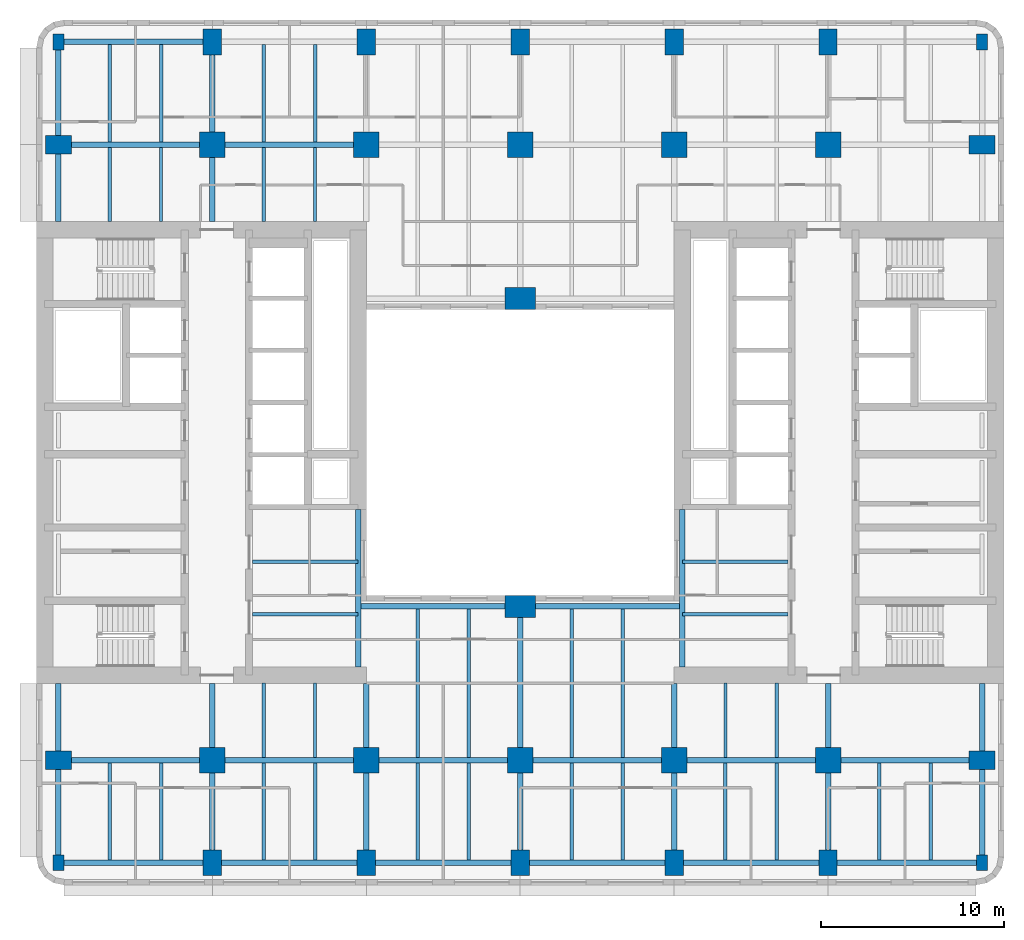
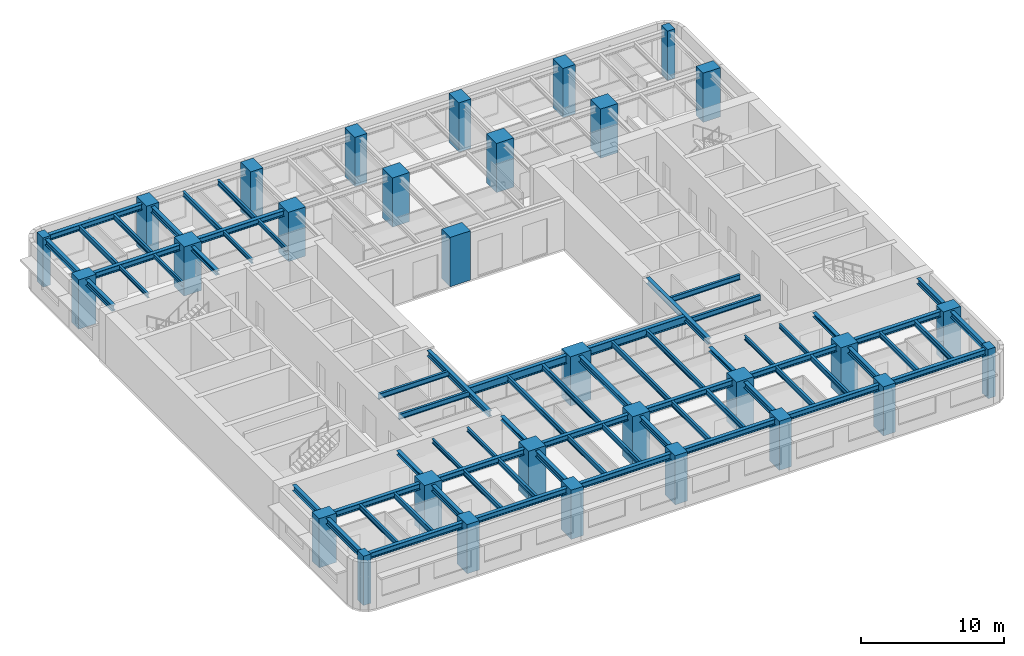
# One storey, part 1 of 11: 69 beams, 30 columns.
"""IFC4 building model written with IfcOpenShell, lengths in metres."""

from ifc_helpers import new_model, si_unit, direction, frame, origin, origin_2d, place, context, subcontext, project, spatial, rectangle, i_section, extrude, material, material_profile, profile_set, type_object, element, save


model = new_model("IFC4")

# Units and contexts
model_context = context("Model", 3, precision=1e-05, world=origin(), true_north=direction((0.0, 1.0)))
body_context = subcontext(model_context, "Body", "Model", "MODEL_VIEW")
ifc_project = project(units=[si_unit("LENGTHUNIT", "METRE"), si_unit("AREAUNIT", "SQUARE_METRE"), si_unit("VOLUMEUNIT", "CUBIC_METRE"), si_unit("PLANEANGLEUNIT", "RADIAN"), si_unit("MASSUNIT", "GRAM", prefix="KILO")], contexts=[model_context])

# Site, building, storey
site_placement = place(None, origin())
site = spatial("IfcSite", under=ifc_project, at=site_placement, CompositionType="ELEMENT")
building_placement = place(site_placement, origin())
building = spatial("IfcBuilding", under=site, at=building_placement, Name="Claustro Exchange Tower", CompositionType="ELEMENT")
storey_placement = place(building_placement, frame((0.0, 0.0, 142.800048828125)))
storey = spatial("IfcBuildingStorey", under=building, at=storey_placement, Name="L32", CompositionType="ELEMENT", Elevation=142.800048828125)

# Columns
ifc_material_1 = material(Name="Concrete HA-70 (C70/85)", Category="concrete")
ifc_material_profile_1 = material_profile(ifc_material_1, rectangle(XDim=1.39990234375, YDim=1.39990234375, at=origin_2d()), Name="RC 1400x1400")
ifc_profile_set_1 = profile_set([ifc_material_profile_1], Name="Concrete HA-70 (C70/85)")
column_type_1 = type_object("IfcColumnType", Name="C0 RC 1400x1400 HA-70 column", PredefinedType="COLUMN", material=ifc_profile_set_1)
for number, where, z_axis, x_axis, name in (
    (1, (8.39990234375, 8.39990234375, 0.0), (0.0, 0.0, 1.0), (1.0, 0.0, 0.0), "Column C0 2/B L32"),
    (2, (8.39990234375, 42.0, 0.0), (0.0, 0.0, 1.0), (1.0, 0.0, 0.0), "Column C0 2/F L32"),
    (3, (16.800048828125, 8.39990234375, 0.0), (0.0, 0.0, 1.0), (1.0, 0.0, 0.0), "Column C0 3/B L32"),
    (4, (16.800048828125, 42.0, 0.0), (0.0, 0.0, 1.0), (1.0, 0.0, 0.0), "Column C0 3/F L32"),
    (5, (25.199951171875, 8.39990234375, 0.0), (0.0, 0.0, 1.0), (1.0, 0.0, 0.0), "Column C0 4/B L32"),
    (6, (25.199951171875, 42.0, 0.0), (0.0, 0.0, 1.0), (1.0, 0.0, 0.0), "Column C0 4/F L32"),
    (7, (33.60009765625, 8.39990234375, 0.0), (0.0, 0.0, 1.0), (1.0, 0.0, 0.0), "Column C0 5/B L32"),
    (8, (33.60009765625, 42.0, 0.0), (0.0, 0.0, 1.0), (1.0, 0.0, 0.0), "Column C0 5/F L32"),
    (9, (42.0, 8.39990234375, 0.0), (0.0, 0.0, 1.0), (1.0, 0.0, 0.0), "Column C0 6/B L32"),
    (10, (42.0, 42.0, 0.0), (0.0, 0.0, 1.0), (1.0, 0.0, 0.0), "Column C0 6/F L32"),
):
    element("IfcColumn", number, at=place(storey_placement, frame(where, z_axis=z_axis, x_axis=x_axis)), inside=storey, type_object=column_type_1, Name=name, PredefinedType="COLUMN", context=body_context, shape_type="SweptSolid", body=[
        extrude(rectangle(XDim=1.39990234375, YDim=1.39990234375, at=origin_2d()), origin(), (0.0, 0.0, 1.0), 4.199951171875),
    ])
ifc_material_2 = material(Name="Concrete HA-70 (C70/85)", Category="concrete")
ifc_material_profile_2 = material_profile(ifc_material_2, rectangle(XDim=1.0, YDim=1.39990234375, at=origin_2d()), Name="RC 1000x1400")
ifc_profile_set_2 = profile_set([ifc_material_profile_2], Name="Concrete HA-70 (C70/85)")
column_type_2 = type_object("IfcColumnType", Name="C22 RC 1000x1400 HA-70 perimeter column", PredefinedType="COLUMN", material=ifc_profile_set_2)
for number, where, z_axis, x_axis, name in (
    (11, (0.0, 8.39990234375, 0.0), (0.0, 0.0, 1.0), (0.0, 1.0, 0.0), "Column C22 1/B L32"),
    (12, (0.0, 42.0, 0.0), (0.0, 0.0, 1.0), (0.0, 1.0, 0.0), "Column C22 1/F L32"),
    (13, (8.39990234375, 2.800048828125, 0.0), (0.0, 0.0, 1.0), (1.0, 0.0, 0.0), "Column C22 2/A+2800 L32"),
    (14, (8.39990234375, 47.60009765625, 0.0), (0.0, 0.0, 1.0), (1.0, 0.0, 0.0), "Column C22 2/F+5600 L32"),
    (15, (16.800048828125, 2.800048828125, 0.0), (0.0, 0.0, 1.0), (1.0, 0.0, 0.0), "Column C22 3/A+2800 L32"),
    (16, (16.800048828125, 47.60009765625, 0.0), (0.0, 0.0, 1.0), (1.0, 0.0, 0.0), "Column C22 3/F+5600 L32"),
    (17, (25.199951171875, 2.800048828125, 0.0), (0.0, 0.0, 1.0), (1.0, 0.0, 0.0), "Column C22 4/A+2800 L32"),
    (18, (25.199951171875, 47.60009765625, 0.0), (0.0, 0.0, 1.0), (1.0, 0.0, 0.0), "Column C22 4/F+5600 L32"),
    (19, (33.60009765625, 2.800048828125, 0.0), (0.0, 0.0, 1.0), (1.0, 0.0, 0.0), "Column C22 5/A+2800 L32"),
    (20, (33.60009765625, 47.60009765625, 0.0), (0.0, 0.0, 1.0), (1.0, 0.0, 0.0), "Column C22 5/F+5600 L32"),
    (21, (42.0, 2.800048828125, 0.0), (0.0, 0.0, 1.0), (1.0, 0.0, 0.0), "Column C22 6/A+2800 L32"),
    (22, (42.0, 47.60009765625, 0.0), (0.0, 0.0, 1.0), (1.0, 0.0, 0.0), "Column C22 6/F+5600 L32"),
    (23, (50.39990234375, 8.39990234375, 0.0), (0.0, 0.0, 1.0), (0.0, 1.0, 0.0), "Column C22 7/B L32"),
    (24, (50.39990234375, 42.0, 0.0), (0.0, 0.0, 1.0), (0.0, 1.0, 0.0), "Column C22 7/F L32"),
):
    element("IfcColumn", number, at=place(storey_placement, frame(where, z_axis=z_axis, x_axis=x_axis)), inside=storey, type_object=column_type_2, Name=name, PredefinedType="COLUMN", context=body_context, shape_type="SweptSolid", body=[
        extrude(rectangle(XDim=1.0, YDim=1.39990234375, at=origin_2d()), origin(), (0.0, 0.0, 1.0), 4.199951171875),
    ])
ifc_material_3 = material(Name="Concrete HA-50 (C50/60)", Category="concrete")
ifc_material_profile_3 = material_profile(ifc_material_3, rectangle(XDim=0.60009765625, YDim=0.85009765625, at=origin_2d()), Name="RC 600x850")
ifc_profile_set_3 = profile_set([ifc_material_profile_3], Name="Concrete HA-50 (C50/60)")
column_type_3 = type_object("IfcColumnType", Name="C25 RC 600x850 HA-50 corner column", PredefinedType="COLUMN", material=ifc_profile_set_3)
for number, where, z_axis, x_axis, name in (
    (25, (0.0, 2.800048828125, 0.0), (0.0, 0.0, 1.0), (1.0, 0.0, 0.0), "Column C25 1/A+2800 L32"),
    (26, (0.0, 47.60009765625, 0.0), (0.0, 0.0, 1.0), (1.0, 0.0, 0.0), "Column C25 1/F+5600 L32"),
    (27, (50.39990234375, 2.800048828125, 0.0), (0.0, 0.0, 1.0), (1.0, 0.0, 0.0), "Column C25 7/A+2800 L32"),
    (28, (50.39990234375, 47.60009765625, 0.0), (0.0, 0.0, 1.0), (1.0, 0.0, 0.0), "Column C25 7/F+5600 L32"),
):
    element("IfcColumn", number, at=place(storey_placement, frame(where, z_axis=z_axis, x_axis=x_axis)), inside=storey, type_object=column_type_3, Name=name, PredefinedType="COLUMN", context=body_context, shape_type="SweptSolid", body=[
        extrude(rectangle(XDim=0.60009765625, YDim=0.85009765625, at=origin_2d()), origin(), (0.0, 0.0, 1.0), 4.199951171875),
    ])
ifc_material_4 = material(Name="Concrete HA-70 (C70/85)", Category="concrete")
ifc_material_profile_4 = material_profile(ifc_material_4, rectangle(XDim=1.64990234375, YDim=1.199951171875, at=origin_2d()), Name="RC 1650x1200")
ifc_profile_set_4 = profile_set([ifc_material_profile_4], Name="Concrete HA-70 (C70/85)")
column_type_4 = type_object("IfcColumnType", Name="C32 RC 1650x1200 HA-70 light well column", PredefinedType="COLUMN", material=ifc_profile_set_4)
for number, where, z_axis, x_axis, name in (
    (29, (25.199951171875, 16.800048828125, 0.0), (0.0, 0.0, 1.0), (1.0, 0.0, 0.0), "Column C32 4/C L32"),
    (30, (25.199951171875, 33.60009765625, 0.0), (0.0, 0.0, 1.0), (1.0, 0.0, 0.0), "Column C32 4/E L32"),
):
    element("IfcColumn", number, at=place(storey_placement, frame(where, z_axis=z_axis, x_axis=x_axis)), inside=storey, type_object=column_type_4, Name=name, PredefinedType="COLUMN", context=body_context, shape_type="SweptSolid", body=[
        extrude(rectangle(XDim=1.64990234375, YDim=1.199951171875, at=origin_2d()), origin(), (0.0, 0.0, 1.0), 4.199951171875),
    ])

# Beams
ifc_material_5 = material(Name="Steel S355", Category="steel")
ifc_material_profile_5 = material_profile(ifc_material_5, i_section(OverallWidth=0.300048828125, OverallDepth=0.68994140625, WebThickness=0.014404296875, FlangeThickness=0.027099609375, FilletRadius=0.027099609375, at=origin_2d()), Name="HE 700 A")
ifc_profile_set_5 = profile_set([ifc_material_profile_5], Name="Steel S355")
beam_type_1 = type_object("IfcBeamType", Name="B13 HE 700 A light well edge girder", PredefinedType="BEAM", material=ifc_profile_set_5)
beam_1_placement = place(storey_placement, frame((16.35009765625, 16.800048828125, 3.704833984375), z_axis=(1.0, 0.0, 0.0), x_axis=(0.0, 1.0, 0.0)))
element("IfcBeam", 31, at=beam_1_placement, inside=storey, type_object=beam_type_1, Name="Beam B13 L33", PredefinedType="BEAM", context=body_context, shape_type="SweptSolid", body=[
    extrude(i_section(OverallWidth=0.300048828125, OverallDepth=0.68994140625, WebThickness=0.014404296875, FlangeThickness=0.027099609375, FilletRadius=0.027099609375, at=origin_2d()), origin(), (0.0, 0.0, 1.0), 8.849853515625),
])
beam_2_placement = place(storey_placement, frame((25.199951171875, 16.800048828125, 3.704833984375), z_axis=(1.0, 0.0, 0.0), x_axis=(0.0, 1.0, 0.0)))
element("IfcBeam", 32, at=beam_2_placement, inside=storey, type_object=beam_type_1, Name="Beam B13 L33", PredefinedType="BEAM", context=body_context, shape_type="SweptSolid", body=[
    extrude(i_section(OverallWidth=0.300048828125, OverallDepth=0.68994140625, WebThickness=0.014404296875, FlangeThickness=0.027099609375, FilletRadius=0.027099609375, at=origin_2d()), origin(), (0.0, 0.0, 1.0), 8.85009765625),
])
ifc_material_6 = material(Name="Steel S355", Category="steel")
ifc_material_profile_6 = material_profile(ifc_material_6, i_section(OverallWidth=0.169921875, OverallDepth=0.360107421875, WebThickness=0.008056640625, FlangeThickness=0.0126953125, FilletRadius=0.01806640625, at=origin_2d()), Name="IPE 360")
ifc_profile_set_6 = profile_set([ifc_material_profile_6], Name="Steel S355")
beam_type_2 = type_object("IfcBeamType", Name="B16 IPE 360 short-span beam", PredefinedType="BEAM", material=ifc_profile_set_6)
for number, where, z_axis, x_axis, name in (
    (33, (2.800048828125, 37.7900390625, 3.869873046875), (0.0, 1.0, 0.0), (-1.0, 0.0, 0.0), "Beam B16 L33"),
    (34, (5.60009765625, 37.7900390625, 3.869873046875), (0.0, 1.0, 0.0), (-1.0, 0.0, 0.0), "Beam B16 L33"),
    (35, (11.199951171875, 8.550048828125, 3.869873046875), (0.0, 1.0, 0.0), (-1.0, 0.0, 0.0), "Beam B16 L33"),
    (36, (14.0, 8.550048828125, 3.869873046875), (0.0, 1.0, 0.0), (-1.0, 0.0, 0.0), "Beam B16 L33"),
    (37, (11.199951171875, 37.7900390625, 3.869873046875), (0.0, 1.0, 0.0), (-1.0, 0.0, 0.0), "Beam B16 L33"),
    (38, (14.0, 37.7900390625, 3.869873046875), (0.0, 1.0, 0.0), (-1.0, 0.0, 0.0), "Beam B16 L33"),
    (39, (36.39990234375, 8.550048828125, 3.869873046875), (0.0, 1.0, 0.0), (-1.0, 0.0, 0.0), "Beam B16 L33"),
    (40, (39.199951171875, 8.550048828125, 3.869873046875), (0.0, 1.0, 0.0), (-1.0, 0.0, 0.0), "Beam B16 L33"),
):
    element("IfcBeam", number, at=place(storey_placement, frame(where, z_axis=z_axis, x_axis=x_axis)), inside=storey, type_object=beam_type_2, Name=name, PredefinedType="BEAM", context=body_context, shape_type="SweptSolid", body=[
        extrude(i_section(OverallWidth=0.169921875, OverallDepth=0.360107421875, WebThickness=0.008056640625, FlangeThickness=0.0126953125, FilletRadius=0.01806640625, at=origin_2d()), origin(), (0.0, 0.0, 1.0), 4.06005859375),
    ])
ifc_material_7 = material(Name="Steel S355", Category="steel")
ifc_material_profile_7 = material_profile(ifc_material_7, i_section(OverallWidth=0.300048828125, OverallDepth=0.360107421875, WebThickness=0.012451171875, FlangeThickness=0.0224609375, FilletRadius=0.027099609375, at=origin_2d()), Name="HE 360 B")
ifc_profile_set_7 = profile_set([ifc_material_profile_7], Name="Steel S355")
beam_type_3 = type_object("IfcBeamType", Name="B29 HE 360 B column to core link beam", PredefinedType="BEAM", material=ifc_profile_set_7)
beam_3_placement = place(storey_placement, frame((8.39990234375, 8.39990234375, 3.869873046875), z_axis=(0.0, 1.0, 0.0), x_axis=(-1.0, 0.0, 0.0)))
element("IfcBeam", 41, at=beam_3_placement, inside=storey, type_object=beam_type_3, Name="Beam B29 L33", PredefinedType="BEAM", context=body_context, shape_type="SweptSolid", body=[
    extrude(i_section(OverallWidth=0.300048828125, OverallDepth=0.360107421875, WebThickness=0.012451171875, FlangeThickness=0.0224609375, FilletRadius=0.027099609375, at=origin_2d()), origin(), (0.0, 0.0, 1.0), 4.2001953125),
])
beam_4_placement = place(storey_placement, frame((8.39990234375, 37.800048828125, 3.869873046875), z_axis=(0.0, 1.0, 0.0), x_axis=(-1.0, 0.0, 0.0)))
element("IfcBeam", 42, at=beam_4_placement, inside=storey, type_object=beam_type_3, Name="Beam B29 L33", PredefinedType="BEAM", context=body_context, shape_type="SweptSolid", body=[
    extrude(i_section(OverallWidth=0.300048828125, OverallDepth=0.360107421875, WebThickness=0.012451171875, FlangeThickness=0.0224609375, FilletRadius=0.027099609375, at=origin_2d()), origin(), (0.0, 0.0, 1.0), 4.199951171875),
])
for number, where, z_axis, x_axis, name in (
    (43, (16.800048828125, 8.39990234375, 3.869873046875), (0.0, 1.0, 0.0), (-1.0, 0.0, 0.0), "Beam B29 L33"),
    (44, (33.60009765625, 8.39990234375, 3.869873046875), (0.0, 1.0, 0.0), (-1.0, 0.0, 0.0), "Beam B29 L33"),
    (45, (42.0, 8.39990234375, 3.869873046875), (0.0, 1.0, 0.0), (-1.0, 0.0, 0.0), "Beam B29 L33"),
):
    element("IfcBeam", number, at=place(storey_placement, frame(where, z_axis=z_axis, x_axis=x_axis)), inside=storey, type_object=beam_type_3, Name=name, PredefinedType="BEAM", context=body_context, shape_type="SweptSolid", body=[
        extrude(i_section(OverallWidth=0.300048828125, OverallDepth=0.360107421875, WebThickness=0.012451171875, FlangeThickness=0.0224609375, FilletRadius=0.027099609375, at=origin_2d()), origin(), (0.0, 0.0, 1.0), 4.2001953125),
    ])
ifc_material_8 = material(Name="Steel S355", Category="steel")
ifc_material_profile_8 = material_profile(ifc_material_8, i_section(OverallWidth=0.300048828125, OverallDepth=0.5, WebThickness=0.014404296875, FlangeThickness=0.028076171875, FilletRadius=0.027099609375, at=origin_2d()), Name="HE 500 B")
ifc_profile_set_8 = profile_set([ifc_material_profile_8], Name="Steel S355")
beam_type_4 = type_object("IfcBeamType", Name="B7 HE 500 B floor girder", PredefinedType="BEAM", material=ifc_profile_set_8)
beam_5_placement = place(storey_placement, frame((8.39990234375, 2.800048828125, 3.800048828125), z_axis=(0.0, 1.0, 0.0), x_axis=(-1.0, 0.0, 0.0)))
element("IfcBeam", 46, at=beam_5_placement, inside=storey, type_object=beam_type_4, Name="Beam B7 L33", PredefinedType="BEAM", context=body_context, shape_type="SweptSolid", body=[
    extrude(i_section(OverallWidth=0.300048828125, OverallDepth=0.5, WebThickness=0.014404296875, FlangeThickness=0.028076171875, FilletRadius=0.027099609375, at=origin_2d()), origin(), (0.0, 0.0, 1.0), 5.599853515625),
])
beam_6_placement = place(storey_placement, frame((8.39990234375, 42.0, 3.800048828125), z_axis=(0.0, 1.0, 0.0), x_axis=(-1.0, 0.0, 0.0)))
element("IfcBeam", 47, at=beam_6_placement, inside=storey, type_object=beam_type_4, Name="Beam B7 L33", PredefinedType="BEAM", context=body_context, shape_type="SweptSolid", body=[
    extrude(i_section(OverallWidth=0.300048828125, OverallDepth=0.5, WebThickness=0.014404296875, FlangeThickness=0.028076171875, FilletRadius=0.027099609375, at=origin_2d()), origin(), (0.0, 0.0, 1.0), 5.60009765625),
])
for number, where, z_axis, x_axis, name in (
    (48, (16.800048828125, 2.800048828125, 3.800048828125), (0.0, 1.0, 0.0), (-1.0, 0.0, 0.0), "Beam B7 L33"),
    (49, (25.199951171875, 2.800048828125, 3.800048828125), (0.0, 1.0, 0.0), (-1.0, 0.0, 0.0), "Beam B7 L33"),
):
    element("IfcBeam", number, at=place(storey_placement, frame(where, z_axis=z_axis, x_axis=x_axis)), inside=storey, type_object=beam_type_4, Name=name, PredefinedType="BEAM", context=body_context, shape_type="SweptSolid", body=[
        extrude(i_section(OverallWidth=0.300048828125, OverallDepth=0.5, WebThickness=0.014404296875, FlangeThickness=0.028076171875, FilletRadius=0.027099609375, at=origin_2d()), origin(), (0.0, 0.0, 1.0), 5.599853515625),
    ])
beam_7_placement = place(storey_placement, frame((25.199951171875, 8.39990234375, 3.800048828125), z_axis=(0.0, 1.0, 0.0), x_axis=(-1.0, 0.0, 0.0)))
element("IfcBeam", 50, at=beam_7_placement, inside=storey, type_object=beam_type_4, Name="Beam B7 L33", PredefinedType="BEAM", context=body_context, shape_type="SweptSolid", body=[
    extrude(i_section(OverallWidth=0.300048828125, OverallDepth=0.5, WebThickness=0.014404296875, FlangeThickness=0.028076171875, FilletRadius=0.027099609375, at=origin_2d()), origin(), (0.0, 0.0, 1.0), 8.400146484375),
])
for number, where, z_axis, x_axis, name in (
    (51, (33.60009765625, 2.800048828125, 3.800048828125), (0.0, 1.0, 0.0), (-1.0, 0.0, 0.0), "Beam B7 L33"),
    (52, (42.0, 2.800048828125, 3.800048828125), (0.0, 1.0, 0.0), (-1.0, 0.0, 0.0), "Beam B7 L33"),
):
    element("IfcBeam", number, at=place(storey_placement, frame(where, z_axis=z_axis, x_axis=x_axis)), inside=storey, type_object=beam_type_4, Name=name, PredefinedType="BEAM", context=body_context, shape_type="SweptSolid", body=[
        extrude(i_section(OverallWidth=0.300048828125, OverallDepth=0.5, WebThickness=0.014404296875, FlangeThickness=0.028076171875, FilletRadius=0.027099609375, at=origin_2d()), origin(), (0.0, 0.0, 1.0), 5.599853515625),
    ])
beam_8_placement = place(storey_placement, frame((0.0, 8.39990234375, 3.800048828125), z_axis=(1.0, 0.0, 0.0), x_axis=(0.0, 1.0, 0.0)))
element("IfcBeam", 53, at=beam_8_placement, inside=storey, type_object=beam_type_4, Name="Beam B7 L33", PredefinedType="BEAM", context=body_context, shape_type="SweptSolid", body=[
    extrude(i_section(OverallWidth=0.300048828125, OverallDepth=0.5, WebThickness=0.014404296875, FlangeThickness=0.028076171875, FilletRadius=0.027099609375, at=origin_2d()), origin(), (0.0, 0.0, 1.0), 8.39990234375),
])
beam_9_placement = place(storey_placement, frame((8.39990234375, 8.39990234375, 3.800048828125), z_axis=(1.0, 0.0, 0.0), x_axis=(0.0, 1.0, 0.0)))
element("IfcBeam", 54, at=beam_9_placement, inside=storey, type_object=beam_type_4, Name="Beam B7 L33", PredefinedType="BEAM", context=body_context, shape_type="SweptSolid", body=[
    extrude(i_section(OverallWidth=0.300048828125, OverallDepth=0.5, WebThickness=0.014404296875, FlangeThickness=0.028076171875, FilletRadius=0.027099609375, at=origin_2d()), origin(), (0.0, 0.0, 1.0), 8.400146484375),
])
beam_10_placement = place(storey_placement, frame((16.800048828125, 8.39990234375, 3.800048828125), z_axis=(1.0, 0.0, 0.0), x_axis=(0.0, 1.0, 0.0)))
element("IfcBeam", 55, at=beam_10_placement, inside=storey, type_object=beam_type_4, Name="Beam B7 L33", PredefinedType="BEAM", context=body_context, shape_type="SweptSolid", body=[
    extrude(i_section(OverallWidth=0.300048828125, OverallDepth=0.5, WebThickness=0.014404296875, FlangeThickness=0.028076171875, FilletRadius=0.027099609375, at=origin_2d()), origin(), (0.0, 0.0, 1.0), 8.39990234375),
])
beam_11_placement = place(storey_placement, frame((25.199951171875, 8.39990234375, 3.800048828125), z_axis=(1.0, 0.0, 0.0), x_axis=(0.0, 1.0, 0.0)))
element("IfcBeam", 56, at=beam_11_placement, inside=storey, type_object=beam_type_4, Name="Beam B7 L33", PredefinedType="BEAM", context=body_context, shape_type="SweptSolid", body=[
    extrude(i_section(OverallWidth=0.300048828125, OverallDepth=0.5, WebThickness=0.014404296875, FlangeThickness=0.028076171875, FilletRadius=0.027099609375, at=origin_2d()), origin(), (0.0, 0.0, 1.0), 8.400146484375),
])
for number, where, z_axis, x_axis, name in (
    (57, (33.60009765625, 8.39990234375, 3.800048828125), (1.0, 0.0, 0.0), (0.0, 1.0, 0.0), "Beam B7 L33"),
    (58, (42.0, 8.39990234375, 3.800048828125), (1.0, 0.0, 0.0), (0.0, 1.0, 0.0), "Beam B7 L33"),
    (59, (0.0, 42.0, 3.800048828125), (1.0, 0.0, 0.0), (0.0, 1.0, 0.0), "Beam B7 L33"),
):
    element("IfcBeam", number, at=place(storey_placement, frame(where, z_axis=z_axis, x_axis=x_axis)), inside=storey, type_object=beam_type_4, Name=name, PredefinedType="BEAM", context=body_context, shape_type="SweptSolid", body=[
        extrude(i_section(OverallWidth=0.300048828125, OverallDepth=0.5, WebThickness=0.014404296875, FlangeThickness=0.028076171875, FilletRadius=0.027099609375, at=origin_2d()), origin(), (0.0, 0.0, 1.0), 8.39990234375),
    ])
beam_12_placement = place(storey_placement, frame((8.39990234375, 42.0, 3.800048828125), z_axis=(1.0, 0.0, 0.0), x_axis=(0.0, 1.0, 0.0)))
element("IfcBeam", 60, at=beam_12_placement, inside=storey, type_object=beam_type_4, Name="Beam B7 L33", PredefinedType="BEAM", context=body_context, shape_type="SweptSolid", body=[
    extrude(i_section(OverallWidth=0.300048828125, OverallDepth=0.5, WebThickness=0.014404296875, FlangeThickness=0.028076171875, FilletRadius=0.027099609375, at=origin_2d()), origin(), (0.0, 0.0, 1.0), 8.400146484375),
])
for number, where, z_axis, x_axis, name in (
    (61, (16.35009765625, 13.5, 3.800048828125), (0.0, 1.0, 0.0), (-1.0, 0.0, 0.0), "Beam B7 core step framing L33"),
    (62, (34.050048828125, 13.5, 3.800048828125), (0.0, 1.0, 0.0), (-1.0, 0.0, 0.0), "Beam B7 core step framing L33"),
):
    element("IfcBeam", number, at=place(storey_placement, frame(where, z_axis=z_axis, x_axis=x_axis)), inside=storey, type_object=beam_type_4, Name=name, PredefinedType="BEAM", context=body_context, shape_type="SweptSolid", body=[
        extrude(i_section(OverallWidth=0.300048828125, OverallDepth=0.5, WebThickness=0.014404296875, FlangeThickness=0.028076171875, FilletRadius=0.027099609375, at=origin_2d()), origin(), (0.0, 0.0, 1.0), 8.60009765625),
    ])
ifc_material_9 = material(Name="Steel S355", Category="steel")
ifc_material_profile_9 = material_profile(ifc_material_9, i_section(OverallWidth=0.18994140625, OverallDepth=0.449951171875, WebThickness=0.009521484375, FlangeThickness=0.0146484375, FilletRadius=0.02099609375, at=origin_2d()), Name="IPE 450")
ifc_profile_set_9 = profile_set([ifc_material_profile_9], Name="Steel S355")
beam_type_5 = type_object("IfcBeamType", Name="B8 IPE 450 secondary beam", PredefinedType="BEAM", material=ifc_profile_set_9)
for number, where, z_axis, x_axis, name in (
    (63, (2.800048828125, 2.949951171875, 3.824951171875), (0.0, 1.0, 0.0), (-1.0, 0.0, 0.0), "Beam B8 L33"),
    (64, (5.60009765625, 2.949951171875, 3.824951171875), (0.0, 1.0, 0.0), (-1.0, 0.0, 0.0), "Beam B8 L33"),
    (65, (2.800048828125, 42.14990234375, 3.824951171875), (0.0, 1.0, 0.0), (-1.0, 0.0, 0.0), "Beam B8 L33"),
    (66, (5.60009765625, 42.14990234375, 3.824951171875), (0.0, 1.0, 0.0), (-1.0, 0.0, 0.0), "Beam B8 L33"),
    (67, (11.199951171875, 2.949951171875, 3.824951171875), (0.0, 1.0, 0.0), (-1.0, 0.0, 0.0), "Beam B8 L33"),
    (68, (14.0, 2.949951171875, 3.824951171875), (0.0, 1.0, 0.0), (-1.0, 0.0, 0.0), "Beam B8 L33"),
    (69, (11.199951171875, 42.14990234375, 3.824951171875), (0.0, 1.0, 0.0), (-1.0, 0.0, 0.0), "Beam B8 L33"),
    (70, (14.0, 42.14990234375, 3.824951171875), (0.0, 1.0, 0.0), (-1.0, 0.0, 0.0), "Beam B8 L33"),
    (71, (19.60009765625, 2.949951171875, 3.824951171875), (0.0, 1.0, 0.0), (-1.0, 0.0, 0.0), "Beam B8 L33"),
    (72, (22.39990234375, 2.949951171875, 3.824951171875), (0.0, 1.0, 0.0), (-1.0, 0.0, 0.0), "Beam B8 L33"),
):
    element("IfcBeam", number, at=place(storey_placement, frame(where, z_axis=z_axis, x_axis=x_axis)), inside=storey, type_object=beam_type_5, Name=name, PredefinedType="BEAM", context=body_context, shape_type="SweptSolid", body=[
        extrude(i_section(OverallWidth=0.18994140625, OverallDepth=0.449951171875, WebThickness=0.009521484375, FlangeThickness=0.0146484375, FilletRadius=0.02099609375, at=origin_2d()), origin(), (0.0, 0.0, 1.0), 5.300048828125),
    ])
for number, where, z_axis, x_axis, name in (
    (73, (19.60009765625, 8.550048828125, 3.824951171875), (0.0, 1.0, 0.0), (-1.0, 0.0, 0.0), "Beam B8 L33"),
    (74, (22.39990234375, 8.550048828125, 3.824951171875), (0.0, 1.0, 0.0), (-1.0, 0.0, 0.0), "Beam B8 L33"),
):
    element("IfcBeam", number, at=place(storey_placement, frame(where, z_axis=z_axis, x_axis=x_axis)), inside=storey, type_object=beam_type_5, Name=name, PredefinedType="BEAM", context=body_context, shape_type="SweptSolid", body=[
        extrude(i_section(OverallWidth=0.18994140625, OverallDepth=0.449951171875, WebThickness=0.009521484375, FlangeThickness=0.0146484375, FilletRadius=0.02099609375, at=origin_2d()), origin(), (0.0, 0.0, 1.0), 8.099853515625),
    ])
for number, where, z_axis, x_axis, name in (
    (75, (28.0, 2.949951171875, 3.824951171875), (0.0, 1.0, 0.0), (-1.0, 0.0, 0.0), "Beam B8 L33"),
    (76, (30.800048828125, 2.949951171875, 3.824951171875), (0.0, 1.0, 0.0), (-1.0, 0.0, 0.0), "Beam B8 L33"),
):
    element("IfcBeam", number, at=place(storey_placement, frame(where, z_axis=z_axis, x_axis=x_axis)), inside=storey, type_object=beam_type_5, Name=name, PredefinedType="BEAM", context=body_context, shape_type="SweptSolid", body=[
        extrude(i_section(OverallWidth=0.18994140625, OverallDepth=0.449951171875, WebThickness=0.009521484375, FlangeThickness=0.0146484375, FilletRadius=0.02099609375, at=origin_2d()), origin(), (0.0, 0.0, 1.0), 5.300048828125),
    ])
for number, where, z_axis, x_axis, name in (
    (77, (28.0, 8.550048828125, 3.824951171875), (0.0, 1.0, 0.0), (-1.0, 0.0, 0.0), "Beam B8 L33"),
    (78, (30.800048828125, 8.550048828125, 3.824951171875), (0.0, 1.0, 0.0), (-1.0, 0.0, 0.0), "Beam B8 L33"),
):
    element("IfcBeam", number, at=place(storey_placement, frame(where, z_axis=z_axis, x_axis=x_axis)), inside=storey, type_object=beam_type_5, Name=name, PredefinedType="BEAM", context=body_context, shape_type="SweptSolid", body=[
        extrude(i_section(OverallWidth=0.18994140625, OverallDepth=0.449951171875, WebThickness=0.009521484375, FlangeThickness=0.0146484375, FilletRadius=0.02099609375, at=origin_2d()), origin(), (0.0, 0.0, 1.0), 8.099853515625),
    ])
for number, where, z_axis, x_axis, name in (
    (79, (36.39990234375, 2.949951171875, 3.824951171875), (0.0, 1.0, 0.0), (-1.0, 0.0, 0.0), "Beam B8 L33"),
    (80, (39.199951171875, 2.949951171875, 3.824951171875), (0.0, 1.0, 0.0), (-1.0, 0.0, 0.0), "Beam B8 L33"),
    (81, (44.800048828125, 2.949951171875, 3.824951171875), (0.0, 1.0, 0.0), (-1.0, 0.0, 0.0), "Beam B8 L33"),
    (82, (47.60009765625, 2.949951171875, 3.824951171875), (0.0, 1.0, 0.0), (-1.0, 0.0, 0.0), "Beam B8 L33"),
):
    element("IfcBeam", number, at=place(storey_placement, frame(where, z_axis=z_axis, x_axis=x_axis)), inside=storey, type_object=beam_type_5, Name=name, PredefinedType="BEAM", context=body_context, shape_type="SweptSolid", body=[
        extrude(i_section(OverallWidth=0.18994140625, OverallDepth=0.449951171875, WebThickness=0.009521484375, FlangeThickness=0.0146484375, FilletRadius=0.02099609375, at=origin_2d()), origin(), (0.0, 0.0, 1.0), 5.300048828125),
    ])
for number, where, z_axis, x_axis, name in (
    (83, (10.60009765625, 16.36669921875, 3.824951171875), (1.0, 0.0, 0.0), (0.0, 1.0, 0.0), "Beam B8 core step framing L33"),
    (84, (10.60009765625, 19.2333984375, 3.824951171875), (1.0, 0.0, 0.0), (0.0, 1.0, 0.0), "Beam B8 core step framing L33"),
    (85, (34.050048828125, 16.36669921875, 3.824951171875), (1.0, 0.0, 0.0), (0.0, 1.0, 0.0), "Beam B8 core step framing L33"),
    (86, (34.050048828125, 19.2333984375, 3.824951171875), (1.0, 0.0, 0.0), (0.0, 1.0, 0.0), "Beam B8 core step framing L33"),
):
    element("IfcBeam", number, at=place(storey_placement, frame(where, z_axis=z_axis, x_axis=x_axis)), inside=storey, type_object=beam_type_5, Name=name, PredefinedType="BEAM", context=body_context, shape_type="SweptSolid", body=[
        extrude(i_section(OverallWidth=0.18994140625, OverallDepth=0.449951171875, WebThickness=0.009521484375, FlangeThickness=0.0146484375, FilletRadius=0.02099609375, at=origin_2d()), origin(), (0.0, 0.0, 1.0), 5.75),
    ])
ifc_material_10 = material(Name="Steel S355", Category="steel")
ifc_material_profile_10 = material_profile(ifc_material_10, i_section(OverallWidth=0.300048828125, OverallDepth=0.489990234375, WebThickness=0.011962890625, FlangeThickness=0.02294921875, FilletRadius=0.027099609375, at=origin_2d()), Name="HE 500 A")
ifc_profile_set_10 = profile_set([ifc_material_profile_10], Name="Steel S355")
beam_type_6 = type_object("IfcBeamType", Name="B9 HE 500 A spandrel edge girder", PredefinedType="SPANDREL", material=ifc_profile_set_10)
beam_13_placement = place(storey_placement, frame((0.0, 2.800048828125, 3.804931640625), z_axis=(0.0, 1.0, 0.0), x_axis=(-1.0, 0.0, 0.0)))
element("IfcBeam", 87, at=beam_13_placement, inside=storey, type_object=beam_type_6, Name="Beam B9 L33", PredefinedType="SPANDREL", context=body_context, shape_type="SweptSolid", body=[
    extrude(i_section(OverallWidth=0.300048828125, OverallDepth=0.489990234375, WebThickness=0.011962890625, FlangeThickness=0.02294921875, FilletRadius=0.027099609375, at=origin_2d()), origin(), (0.0, 0.0, 1.0), 5.599853515625),
])
beam_14_placement = place(storey_placement, frame((0.0, 8.39990234375, 3.804931640625), z_axis=(0.0, 1.0, 0.0), x_axis=(-1.0, 0.0, 0.0)))
element("IfcBeam", 88, at=beam_14_placement, inside=storey, type_object=beam_type_6, Name="Beam B9 L33", PredefinedType="SPANDREL", context=body_context, shape_type="SweptSolid", body=[
    extrude(i_section(OverallWidth=0.300048828125, OverallDepth=0.489990234375, WebThickness=0.011962890625, FlangeThickness=0.02294921875, FilletRadius=0.027099609375, at=origin_2d()), origin(), (0.0, 0.0, 1.0), 4.2001953125),
])
beam_15_placement = place(storey_placement, frame((0.0, 37.800048828125, 3.804931640625), z_axis=(0.0, 1.0, 0.0), x_axis=(-1.0, 0.0, 0.0)))
element("IfcBeam", 89, at=beam_15_placement, inside=storey, type_object=beam_type_6, Name="Beam B9 L33", PredefinedType="SPANDREL", context=body_context, shape_type="SweptSolid", body=[
    extrude(i_section(OverallWidth=0.300048828125, OverallDepth=0.489990234375, WebThickness=0.011962890625, FlangeThickness=0.02294921875, FilletRadius=0.027099609375, at=origin_2d()), origin(), (0.0, 0.0, 1.0), 4.199951171875),
])
beam_16_placement = place(storey_placement, frame((0.0, 42.0, 3.804931640625), z_axis=(0.0, 1.0, 0.0), x_axis=(-1.0, 0.0, 0.0)))
element("IfcBeam", 90, at=beam_16_placement, inside=storey, type_object=beam_type_6, Name="Beam B9 L33", PredefinedType="SPANDREL", context=body_context, shape_type="SweptSolid", body=[
    extrude(i_section(OverallWidth=0.300048828125, OverallDepth=0.489990234375, WebThickness=0.011962890625, FlangeThickness=0.02294921875, FilletRadius=0.027099609375, at=origin_2d()), origin(), (0.0, 0.0, 1.0), 5.60009765625),
])
beam_17_placement = place(storey_placement, frame((50.39990234375, 2.800048828125, 3.804931640625), z_axis=(0.0, 1.0, 0.0), x_axis=(-1.0, 0.0, 0.0)))
element("IfcBeam", 91, at=beam_17_placement, inside=storey, type_object=beam_type_6, Name="Beam B9 L33", PredefinedType="SPANDREL", context=body_context, shape_type="SweptSolid", body=[
    extrude(i_section(OverallWidth=0.300048828125, OverallDepth=0.489990234375, WebThickness=0.011962890625, FlangeThickness=0.02294921875, FilletRadius=0.027099609375, at=origin_2d()), origin(), (0.0, 0.0, 1.0), 5.599853515625),
])
beam_18_placement = place(storey_placement, frame((50.39990234375, 8.39990234375, 3.804931640625), z_axis=(0.0, 1.0, 0.0), x_axis=(-1.0, 0.0, 0.0)))
element("IfcBeam", 92, at=beam_18_placement, inside=storey, type_object=beam_type_6, Name="Beam B9 L33", PredefinedType="SPANDREL", context=body_context, shape_type="SweptSolid", body=[
    extrude(i_section(OverallWidth=0.300048828125, OverallDepth=0.489990234375, WebThickness=0.011962890625, FlangeThickness=0.02294921875, FilletRadius=0.027099609375, at=origin_2d()), origin(), (0.0, 0.0, 1.0), 4.2001953125),
])
beam_19_placement = place(storey_placement, frame((0.0, 2.800048828125, 3.804931640625), z_axis=(1.0, 0.0, 0.0), x_axis=(0.0, 1.0, 0.0)))
element("IfcBeam", 93, at=beam_19_placement, inside=storey, type_object=beam_type_6, Name="Beam B9 L33", PredefinedType="SPANDREL", context=body_context, shape_type="SweptSolid", body=[
    extrude(i_section(OverallWidth=0.300048828125, OverallDepth=0.489990234375, WebThickness=0.011962890625, FlangeThickness=0.02294921875, FilletRadius=0.027099609375, at=origin_2d()), origin(), (0.0, 0.0, 1.0), 8.39990234375),
])
beam_20_placement = place(storey_placement, frame((8.39990234375, 2.800048828125, 3.804931640625), z_axis=(1.0, 0.0, 0.0), x_axis=(0.0, 1.0, 0.0)))
element("IfcBeam", 94, at=beam_20_placement, inside=storey, type_object=beam_type_6, Name="Beam B9 L33", PredefinedType="SPANDREL", context=body_context, shape_type="SweptSolid", body=[
    extrude(i_section(OverallWidth=0.300048828125, OverallDepth=0.489990234375, WebThickness=0.011962890625, FlangeThickness=0.02294921875, FilletRadius=0.027099609375, at=origin_2d()), origin(), (0.0, 0.0, 1.0), 8.400146484375),
])
beam_21_placement = place(storey_placement, frame((16.800048828125, 2.800048828125, 3.804931640625), z_axis=(1.0, 0.0, 0.0), x_axis=(0.0, 1.0, 0.0)))
element("IfcBeam", 95, at=beam_21_placement, inside=storey, type_object=beam_type_6, Name="Beam B9 L33", PredefinedType="SPANDREL", context=body_context, shape_type="SweptSolid", body=[
    extrude(i_section(OverallWidth=0.300048828125, OverallDepth=0.489990234375, WebThickness=0.011962890625, FlangeThickness=0.02294921875, FilletRadius=0.027099609375, at=origin_2d()), origin(), (0.0, 0.0, 1.0), 8.39990234375),
])
beam_22_placement = place(storey_placement, frame((25.199951171875, 2.800048828125, 3.804931640625), z_axis=(1.0, 0.0, 0.0), x_axis=(0.0, 1.0, 0.0)))
element("IfcBeam", 96, at=beam_22_placement, inside=storey, type_object=beam_type_6, Name="Beam B9 L33", PredefinedType="SPANDREL", context=body_context, shape_type="SweptSolid", body=[
    extrude(i_section(OverallWidth=0.300048828125, OverallDepth=0.489990234375, WebThickness=0.011962890625, FlangeThickness=0.02294921875, FilletRadius=0.027099609375, at=origin_2d()), origin(), (0.0, 0.0, 1.0), 8.400146484375),
])
for number, where, z_axis, x_axis, name in (
    (97, (33.60009765625, 2.800048828125, 3.804931640625), (1.0, 0.0, 0.0), (0.0, 1.0, 0.0), "Beam B9 L33"),
    (98, (42.0, 2.800048828125, 3.804931640625), (1.0, 0.0, 0.0), (0.0, 1.0, 0.0), "Beam B9 L33"),
    (99, (0.0, 47.60009765625, 3.804931640625), (1.0, 0.0, 0.0), (0.0, 1.0, 0.0), "Beam B9 L33"),
):
    element("IfcBeam", number, at=place(storey_placement, frame(where, z_axis=z_axis, x_axis=x_axis)), inside=storey, type_object=beam_type_6, Name=name, PredefinedType="SPANDREL", context=body_context, shape_type="SweptSolid", body=[
        extrude(i_section(OverallWidth=0.300048828125, OverallDepth=0.489990234375, WebThickness=0.011962890625, FlangeThickness=0.02294921875, FilletRadius=0.027099609375, at=origin_2d()), origin(), (0.0, 0.0, 1.0), 8.39990234375),
    ])

save(model, "model.ifc")
